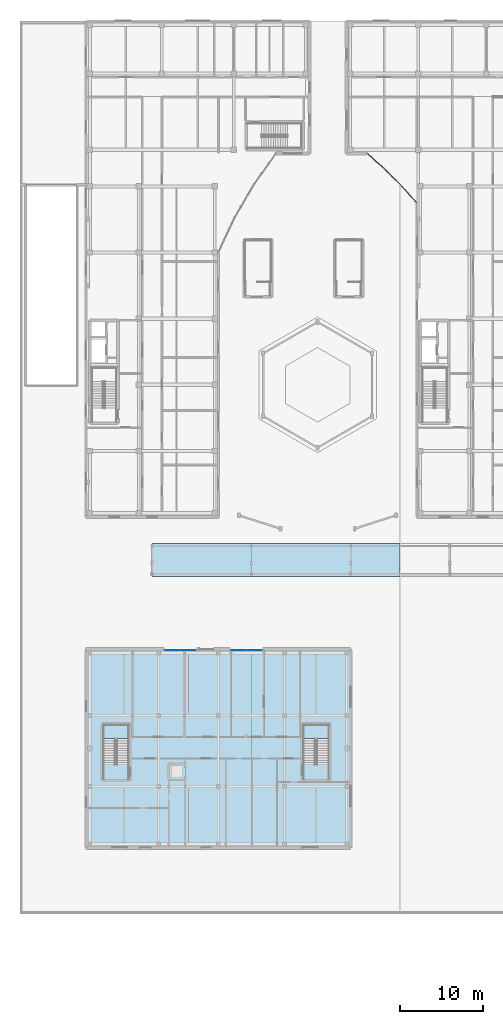
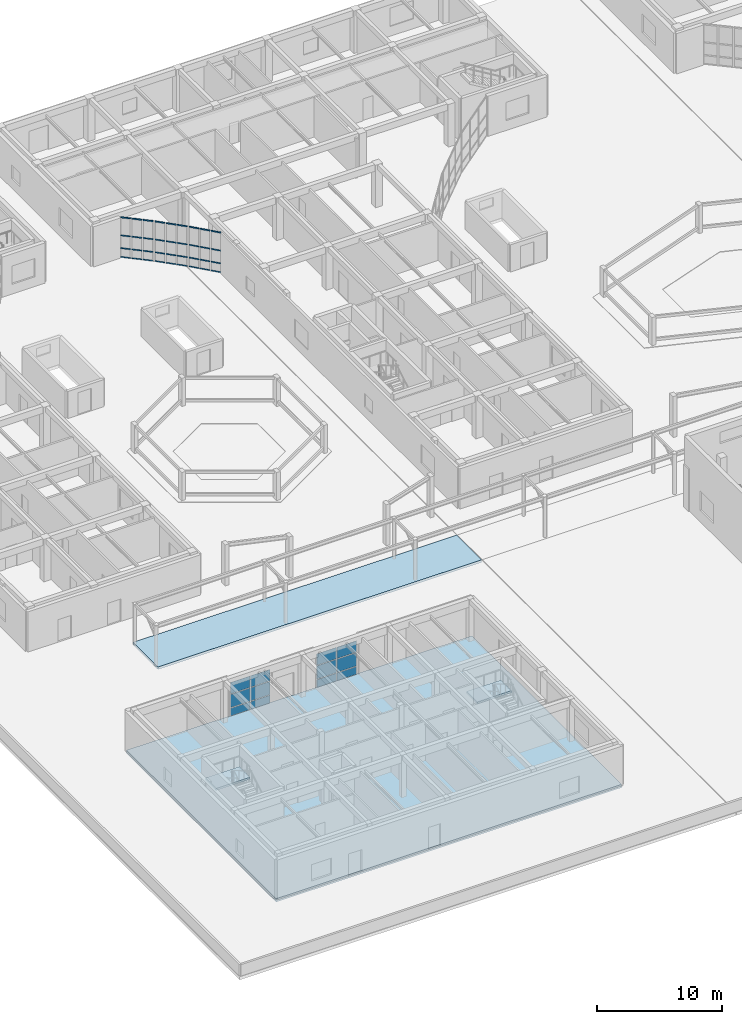
# One storey, part 59 of 114: 36 members, 12 plates, 4 slabs, 7 elements without a shape of their own.
"""IFC4 building model written with IfcOpenShell, lengths in metres."""

from ifc_helpers import new_model, si_unit, direction, frame, origin, origin_2d, place, context, subcontext, project, spatial, polyline, rectangle, hollow_rectangle, outline, extrude, material, layer, layer_set, material_profile, profile_set, type_object, element, aggregate, save


model = new_model("IFC4")

# Units and contexts
model_context = context("Model", 3, precision=1e-05, world=origin(), true_north=direction((0.0, 1.0)))
body_context = subcontext(model_context, "Body", "Model", "MODEL_VIEW")
ifc_project = project(units=[si_unit("LENGTHUNIT", "METRE"), si_unit("AREAUNIT", "SQUARE_METRE"), si_unit("VOLUMEUNIT", "CUBIC_METRE"), si_unit("PLANEANGLEUNIT", "RADIAN"), si_unit("MASSUNIT", "GRAM", prefix="KILO")], contexts=[model_context])

# Site, building, storey
site_placement = place(None, origin())
site = spatial("IfcSite", under=ifc_project, at=site_placement, CompositionType="ELEMENT")
building_placement = place(site_placement, origin())
building = spatial("IfcBuilding", under=site, at=building_placement, Name="Keldmere Railside Commons", CompositionType="ELEMENT")
storey_placement = place(building_placement, origin())
storey = spatial("IfcBuildingStorey", under=building, at=storey_placement, Name="L00", CompositionType="ELEMENT", Elevation=0.0)

# Curtain wall, members
ifc_material_1 = material(Name="Thermally Broken Aluminium", Category="aluminium")
ifc_layer_1 = layer(ifc_material_1, 0.159912109375, Name="Residential Ground Entrance Lobby CW 4000x3600")
ifc_layer_set_1 = layer_set([ifc_layer_1], Name="Thermally Broken Aluminium")
curtain_wall_type_1 = type_object("IfcCurtainWallType", Name="Residential Ground Entrance Lobby CW 4000x3600", PredefinedType="NOTDEFINED", material=ifc_layer_set_1)
curtain_wall_1_placement = place(storey_placement, origin())
curtain_wall_1 = element("IfcCurtainWall", 1, at=curtain_wall_1_placement, inside=storey, type_object=curtain_wall_type_1, Name="CW-10 CW-L00-028", PredefinedType="NOTDEFINED")
ifc_material_profile = material_profile(ifc_material_1, hollow_rectangle(XDim=0.06494140625, YDim=0.1201171875, WallThickness=0.00390625, at=origin_2d()), Name="ALU-TRAN-65x120")
ifc_profile_set = profile_set([ifc_material_profile], Name="Thermally Broken Aluminium")
member_type = type_object("IfcMemberType", Name="Unitised Curtain Wall Transom 65x120", PredefinedType="USERDEFINED", material=ifc_profile_set)
member_1_placement = place(storey_placement, frame((44.0595703125, 98.1533203125, 0.032470703125), z_axis=(-0.744569440646, 0.667545015752, 0.0), x_axis=(-0.667545015752, -0.744569440646, 0.0)))
member_1 = element("IfcMember", 2, at=member_1_placement, type_object=member_type, Name="CW-10 transom 1.1", ObjectType="TRANSOM", PredefinedType="USERDEFINED", context=body_context, shape_type="SweptSolid", body=[
    extrude(hollow_rectangle(XDim=0.06494140625, YDim=0.1201171875, WallThickness=0.00390625, at=origin_2d()), origin(), (0.0, 0.0, 1.0), 0.84619140625),
])
member_2_placement = place(storey_placement, frame((44.0595703125, 98.1533203125, 0.89990234375), z_axis=(-0.744569440646, 0.667545015752, 0.0), x_axis=(-0.667545015752, -0.744569440646, 0.0)))
member_2 = element("IfcMember", 3, at=member_2_placement, type_object=member_type, Name="CW-10 transom 1.2", ObjectType="TRANSOM", PredefinedType="USERDEFINED", context=body_context, shape_type="SweptSolid", body=[
    extrude(hollow_rectangle(XDim=0.06494140625, YDim=0.1201171875, WallThickness=0.00390625, at=origin_2d()), origin(), (0.0, 0.0, 1.0), 0.84619140625),
])
member_3_placement = place(storey_placement, frame((44.0595703125, 98.1533203125, 2.14990234375), z_axis=(-0.744569440646, 0.667545015752, 0.0), x_axis=(-0.667545015752, -0.744569440646, 0.0)))
member_3 = element("IfcMember", 4, at=member_3_placement, type_object=member_type, Name="CW-10 transom 1.3", ObjectType="TRANSOM", PredefinedType="USERDEFINED", context=body_context, shape_type="SweptSolid", body=[
    extrude(hollow_rectangle(XDim=0.06494140625, YDim=0.1201171875, WallThickness=0.00390625, at=origin_2d()), origin(), (0.0, 0.0, 1.0), 0.84619140625),
])
member_4_placement = place(storey_placement, frame((44.0595703125, 98.1533203125, 3.907470703125), z_axis=(-0.744569440646, 0.667545015752, 0.0), x_axis=(-0.667545015752, -0.744569440646, 0.0)))
member_4 = element("IfcMember", 5, at=member_4_placement, type_object=member_type, Name="CW-10 transom 1.4", ObjectType="TRANSOM", PredefinedType="USERDEFINED", context=body_context, shape_type="SweptSolid", body=[
    extrude(hollow_rectangle(XDim=0.06494140625, YDim=0.1201171875, WallThickness=0.00390625, at=origin_2d()), origin(), (0.0, 0.0, 1.0), 0.84619140625),
])
member_5_placement = place(storey_placement, frame((43.381103515625, 98.76171875, 0.032470703125), z_axis=(-0.744536109606, 0.667582190815, 0.0), x_axis=(-0.667582190815, -0.744536109606, 0.0)))
member_5 = element("IfcMember", 6, at=member_5_placement, type_object=member_type, Name="CW-10 transom 2.1", ObjectType="TRANSOM", PredefinedType="USERDEFINED", context=body_context, shape_type="SweptSolid", body=[
    extrude(hollow_rectangle(XDim=0.06494140625, YDim=0.1201171875, WallThickness=0.00390625, at=origin_2d()), origin(), (0.0, 0.0, 1.0), 0.87890625),
])
member_6_placement = place(storey_placement, frame((43.381103515625, 98.76171875, 0.89990234375), z_axis=(-0.744536109606, 0.667582190815, 0.0), x_axis=(-0.667582190815, -0.744536109606, 0.0)))
member_6 = element("IfcMember", 7, at=member_6_placement, type_object=member_type, Name="CW-10 transom 2.2", ObjectType="TRANSOM", PredefinedType="USERDEFINED", context=body_context, shape_type="SweptSolid", body=[
    extrude(hollow_rectangle(XDim=0.06494140625, YDim=0.1201171875, WallThickness=0.00390625, at=origin_2d()), origin(), (0.0, 0.0, 1.0), 0.87890625),
])
member_7_placement = place(storey_placement, frame((43.381103515625, 98.76171875, 2.14990234375), z_axis=(-0.744536109606, 0.667582190815, 0.0), x_axis=(-0.667582190815, -0.744536109606, 0.0)))
member_7 = element("IfcMember", 8, at=member_7_placement, type_object=member_type, Name="CW-10 transom 2.3", ObjectType="TRANSOM", PredefinedType="USERDEFINED", context=body_context, shape_type="SweptSolid", body=[
    extrude(hollow_rectangle(XDim=0.06494140625, YDim=0.1201171875, WallThickness=0.00390625, at=origin_2d()), origin(), (0.0, 0.0, 1.0), 0.87890625),
])
member_8_placement = place(storey_placement, frame((43.381103515625, 98.76171875, 3.907470703125), z_axis=(-0.744536109606, 0.667582190815, 0.0), x_axis=(-0.667582190815, -0.744536109606, 0.0)))
member_8 = element("IfcMember", 9, at=member_8_placement, type_object=member_type, Name="CW-10 transom 2.4", ObjectType="TRANSOM", PredefinedType="USERDEFINED", context=body_context, shape_type="SweptSolid", body=[
    extrude(hollow_rectangle(XDim=0.06494140625, YDim=0.1201171875, WallThickness=0.00390625, at=origin_2d()), origin(), (0.0, 0.0, 1.0), 0.87890625),
])
member_9_placement = place(storey_placement, frame((42.678466796875, 99.3916015625, 0.032470703125), z_axis=(-0.744569440646, 0.667545015752, 0.0), x_axis=(-0.667545015752, -0.744569440646, 0.0)))
member_9 = element("IfcMember", 10, at=member_9_placement, type_object=member_type, Name="CW-10 transom 3.1", ObjectType="TRANSOM", PredefinedType="USERDEFINED", context=body_context, shape_type="SweptSolid", body=[
    extrude(hollow_rectangle(XDim=0.06494140625, YDim=0.1201171875, WallThickness=0.00390625, at=origin_2d()), origin(), (0.0, 0.0, 1.0), 0.84619140625),
])
member_10_placement = place(storey_placement, frame((42.678466796875, 99.3916015625, 0.89990234375), z_axis=(-0.744569440646, 0.667545015752, 0.0), x_axis=(-0.667545015752, -0.744569440646, 0.0)))
member_10 = element("IfcMember", 11, at=member_10_placement, type_object=member_type, Name="CW-10 transom 3.2", ObjectType="TRANSOM", PredefinedType="USERDEFINED", context=body_context, shape_type="SweptSolid", body=[
    extrude(hollow_rectangle(XDim=0.06494140625, YDim=0.1201171875, WallThickness=0.00390625, at=origin_2d()), origin(), (0.0, 0.0, 1.0), 0.84619140625),
])
member_11_placement = place(storey_placement, frame((42.678466796875, 99.3916015625, 2.14990234375), z_axis=(-0.744569440646, 0.667545015752, 0.0), x_axis=(-0.667545015752, -0.744569440646, 0.0)))
member_11 = element("IfcMember", 12, at=member_11_placement, type_object=member_type, Name="CW-10 transom 3.3", ObjectType="TRANSOM", PredefinedType="USERDEFINED", context=body_context, shape_type="SweptSolid", body=[
    extrude(hollow_rectangle(XDim=0.06494140625, YDim=0.1201171875, WallThickness=0.00390625, at=origin_2d()), origin(), (0.0, 0.0, 1.0), 0.84619140625),
])
member_12_placement = place(storey_placement, frame((42.678466796875, 99.3916015625, 3.907470703125), z_axis=(-0.744569440646, 0.667545015752, 0.0), x_axis=(-0.667545015752, -0.744569440646, 0.0)))
member_12 = element("IfcMember", 13, at=member_12_placement, type_object=member_type, Name="CW-10 transom 3.4", ObjectType="TRANSOM", PredefinedType="USERDEFINED", context=body_context, shape_type="SweptSolid", body=[
    extrude(hollow_rectangle(XDim=0.06494140625, YDim=0.1201171875, WallThickness=0.00390625, at=origin_2d()), origin(), (0.0, 0.0, 1.0), 0.84619140625),
])
aggregate(curtain_wall_1, [member_1, member_2, member_3, member_4, member_5, member_6, member_7, member_8, member_9, member_10, member_11, member_12])

ifc_layer_2 = layer(ifc_material_1, 0.159912109375, Name="Residential Lounge Frontage CW 4600x3600")
ifc_layer_set_2 = layer_set([ifc_layer_2], Name="Thermally Broken Aluminium")
curtain_wall_type_2 = type_object("IfcCurtainWallType", Name="Residential Lounge Frontage CW 4600x3600", PredefinedType="NOTDEFINED", material=ifc_layer_set_2)
curtain_wall_2_placement = place(storey_placement, origin())
curtain_wall_2 = element("IfcCurtainWall", 14, at=curtain_wall_2_placement, inside=storey, type_object=curtain_wall_type_2, Name="CW-11 CW-L00-029", PredefinedType="NOTDEFINED")
member_13_placement = place(storey_placement, frame((46.06396484375, 96.154052734375, 0.032470703125), z_axis=(-0.707106781187, 0.707106781187, 0.0), x_axis=(-0.707106781187, -0.707106781187, 0.0)))
member_13 = element("IfcMember", 15, at=member_13_placement, type_object=member_type, Name="CW-11 transom 1.1", ObjectType="TRANSOM", PredefinedType="USERDEFINED", context=body_context, shape_type="SweptSolid", body=[
    extrude(hollow_rectangle(XDim=0.06494140625, YDim=0.1201171875, WallThickness=0.00390625, at=origin_2d()), origin(), (0.0, 0.0, 1.0), 0.84619140625),
])
member_14_placement = place(storey_placement, frame((46.06396484375, 96.154052734375, 0.89990234375), z_axis=(-0.707106781187, 0.707106781187, 0.0), x_axis=(-0.707106781187, -0.707106781187, 0.0)))
member_14 = element("IfcMember", 16, at=member_14_placement, type_object=member_type, Name="CW-11 transom 1.2", ObjectType="TRANSOM", PredefinedType="USERDEFINED", context=body_context, shape_type="SweptSolid", body=[
    extrude(hollow_rectangle(XDim=0.06494140625, YDim=0.1201171875, WallThickness=0.00390625, at=origin_2d()), origin(), (0.0, 0.0, 1.0), 0.84619140625),
])
member_15_placement = place(storey_placement, frame((46.06396484375, 96.154052734375, 2.14990234375), z_axis=(-0.707106781187, 0.707106781187, 0.0), x_axis=(-0.707106781187, -0.707106781187, 0.0)))
member_15 = element("IfcMember", 17, at=member_15_placement, type_object=member_type, Name="CW-11 transom 1.3", ObjectType="TRANSOM", PredefinedType="USERDEFINED", context=body_context, shape_type="SweptSolid", body=[
    extrude(hollow_rectangle(XDim=0.06494140625, YDim=0.1201171875, WallThickness=0.00390625, at=origin_2d()), origin(), (0.0, 0.0, 1.0), 0.84619140625),
])
member_16_placement = place(storey_placement, frame((46.06396484375, 96.154052734375, 3.907470703125), z_axis=(-0.707106781187, 0.707106781187, 0.0), x_axis=(-0.707106781187, -0.707106781187, 0.0)))
member_16 = element("IfcMember", 18, at=member_16_placement, type_object=member_type, Name="CW-11 transom 1.4", ObjectType="TRANSOM", PredefinedType="USERDEFINED", context=body_context, shape_type="SweptSolid", body=[
    extrude(hollow_rectangle(XDim=0.06494140625, YDim=0.1201171875, WallThickness=0.00390625, at=origin_2d()), origin(), (0.0, 0.0, 1.0), 0.84619140625),
])
member_17_placement = place(storey_placement, frame((45.419677734375, 96.79833984375, 0.032470703125), z_axis=(-0.707106781187, 0.707106781187, 0.0), x_axis=(-0.707106781187, -0.707106781187, 0.0)))
member_17 = element("IfcMember", 19, at=member_17_placement, type_object=member_type, Name="CW-11 transom 2.1", ObjectType="TRANSOM", PredefinedType="USERDEFINED", context=body_context, shape_type="SweptSolid", body=[
    extrude(hollow_rectangle(XDim=0.06494140625, YDim=0.1201171875, WallThickness=0.00390625, at=origin_2d()), origin(), (0.0, 0.0, 1.0), 0.878662109375),
])
member_18_placement = place(storey_placement, frame((45.419677734375, 96.79833984375, 0.89990234375), z_axis=(-0.707106781187, 0.707106781187, 0.0), x_axis=(-0.707106781187, -0.707106781187, 0.0)))
member_18 = element("IfcMember", 20, at=member_18_placement, type_object=member_type, Name="CW-11 transom 2.2", ObjectType="TRANSOM", PredefinedType="USERDEFINED", context=body_context, shape_type="SweptSolid", body=[
    extrude(hollow_rectangle(XDim=0.06494140625, YDim=0.1201171875, WallThickness=0.00390625, at=origin_2d()), origin(), (0.0, 0.0, 1.0), 0.878662109375),
])
member_19_placement = place(storey_placement, frame((45.419677734375, 96.79833984375, 2.14990234375), z_axis=(-0.707106781187, 0.707106781187, 0.0), x_axis=(-0.707106781187, -0.707106781187, 0.0)))
member_19 = element("IfcMember", 21, at=member_19_placement, type_object=member_type, Name="CW-11 transom 2.3", ObjectType="TRANSOM", PredefinedType="USERDEFINED", context=body_context, shape_type="SweptSolid", body=[
    extrude(hollow_rectangle(XDim=0.06494140625, YDim=0.1201171875, WallThickness=0.00390625, at=origin_2d()), origin(), (0.0, 0.0, 1.0), 0.878662109375),
])
member_20_placement = place(storey_placement, frame((45.419677734375, 96.79833984375, 3.907470703125), z_axis=(-0.707106781187, 0.707106781187, 0.0), x_axis=(-0.707106781187, -0.707106781187, 0.0)))
member_20 = element("IfcMember", 22, at=member_20_placement, type_object=member_type, Name="CW-11 transom 2.4", ObjectType="TRANSOM", PredefinedType="USERDEFINED", context=body_context, shape_type="SweptSolid", body=[
    extrude(hollow_rectangle(XDim=0.06494140625, YDim=0.1201171875, WallThickness=0.00390625, at=origin_2d()), origin(), (0.0, 0.0, 1.0), 0.878662109375),
])
member_21_placement = place(storey_placement, frame((44.75244140625, 97.465576171875, 0.032470703125), z_axis=(-0.707106781187, 0.707106781187, 0.0), x_axis=(-0.707106781187, -0.707106781187, 0.0)))
member_21 = element("IfcMember", 23, at=member_21_placement, type_object=member_type, Name="CW-11 transom 3.1", ObjectType="TRANSOM", PredefinedType="USERDEFINED", context=body_context, shape_type="SweptSolid", body=[
    extrude(hollow_rectangle(XDim=0.06494140625, YDim=0.1201171875, WallThickness=0.00390625, at=origin_2d()), origin(), (0.0, 0.0, 1.0), 0.84619140625),
])
member_22_placement = place(storey_placement, frame((44.75244140625, 97.465576171875, 0.89990234375), z_axis=(-0.707106781187, 0.707106781187, 0.0), x_axis=(-0.707106781187, -0.707106781187, 0.0)))
member_22 = element("IfcMember", 24, at=member_22_placement, type_object=member_type, Name="CW-11 transom 3.2", ObjectType="TRANSOM", PredefinedType="USERDEFINED", context=body_context, shape_type="SweptSolid", body=[
    extrude(hollow_rectangle(XDim=0.06494140625, YDim=0.1201171875, WallThickness=0.00390625, at=origin_2d()), origin(), (0.0, 0.0, 1.0), 0.84619140625),
])
member_23_placement = place(storey_placement, frame((44.75244140625, 97.465576171875, 2.14990234375), z_axis=(-0.707106781187, 0.707106781187, 0.0), x_axis=(-0.707106781187, -0.707106781187, 0.0)))
member_23 = element("IfcMember", 25, at=member_23_placement, type_object=member_type, Name="CW-11 transom 3.3", ObjectType="TRANSOM", PredefinedType="USERDEFINED", context=body_context, shape_type="SweptSolid", body=[
    extrude(hollow_rectangle(XDim=0.06494140625, YDim=0.1201171875, WallThickness=0.00390625, at=origin_2d()), origin(), (0.0, 0.0, 1.0), 0.84619140625),
])
member_24_placement = place(storey_placement, frame((44.75244140625, 97.465576171875, 3.907470703125), z_axis=(-0.707106781187, 0.707106781187, 0.0), x_axis=(-0.707106781187, -0.707106781187, 0.0)))
member_24 = element("IfcMember", 26, at=member_24_placement, type_object=member_type, Name="CW-11 transom 3.4", ObjectType="TRANSOM", PredefinedType="USERDEFINED", context=body_context, shape_type="SweptSolid", body=[
    extrude(hollow_rectangle(XDim=0.06494140625, YDim=0.1201171875, WallThickness=0.00390625, at=origin_2d()), origin(), (0.0, 0.0, 1.0), 0.84619140625),
])
aggregate(curtain_wall_2, [member_13, member_14, member_15, member_16, member_17, member_18, member_19, member_20, member_21, member_22, member_23, member_24])

curtain_wall_3_placement = place(storey_placement, origin())
curtain_wall_3 = element("IfcCurtainWall", 27, at=curtain_wall_3_placement, inside=storey, type_object=curtain_wall_type_1, Name="CW-10 CW-L00-030", PredefinedType="NOTDEFINED")
member_25_placement = place(storey_placement, frame((47.95654296875, 94.04833984375, 0.032470703125), z_axis=(-0.667545015752, 0.744569440646, 0.0), x_axis=(-0.744569440646, -0.667545015752, 0.0)))
member_25 = element("IfcMember", 28, at=member_25_placement, type_object=member_type, Name="CW-10 transom 1.1", ObjectType="TRANSOM", PredefinedType="USERDEFINED", context=body_context, shape_type="SweptSolid", body=[
    extrude(hollow_rectangle(XDim=0.06494140625, YDim=0.1201171875, WallThickness=0.00390625, at=origin_2d()), origin(), (0.0, 0.0, 1.0), 0.84619140625),
])
member_26_placement = place(storey_placement, frame((47.95654296875, 94.04833984375, 0.89990234375), z_axis=(-0.667545015752, 0.744569440646, 0.0), x_axis=(-0.744569440646, -0.667545015752, 0.0)))
member_26 = element("IfcMember", 29, at=member_26_placement, type_object=member_type, Name="CW-10 transom 1.2", ObjectType="TRANSOM", PredefinedType="USERDEFINED", context=body_context, shape_type="SweptSolid", body=[
    extrude(hollow_rectangle(XDim=0.06494140625, YDim=0.1201171875, WallThickness=0.00390625, at=origin_2d()), origin(), (0.0, 0.0, 1.0), 0.84619140625),
])
member_27_placement = place(storey_placement, frame((47.95654296875, 94.04833984375, 2.14990234375), z_axis=(-0.667545015752, 0.744569440646, 0.0), x_axis=(-0.744569440646, -0.667545015752, 0.0)))
member_27 = element("IfcMember", 30, at=member_27_placement, type_object=member_type, Name="CW-10 transom 1.3", ObjectType="TRANSOM", PredefinedType="USERDEFINED", context=body_context, shape_type="SweptSolid", body=[
    extrude(hollow_rectangle(XDim=0.06494140625, YDim=0.1201171875, WallThickness=0.00390625, at=origin_2d()), origin(), (0.0, 0.0, 1.0), 0.84619140625),
])
member_28_placement = place(storey_placement, frame((47.95654296875, 94.04833984375, 3.907470703125), z_axis=(-0.667545015752, 0.744569440646, 0.0), x_axis=(-0.744569440646, -0.667545015752, 0.0)))
member_28 = element("IfcMember", 31, at=member_28_placement, type_object=member_type, Name="CW-10 transom 1.4", ObjectType="TRANSOM", PredefinedType="USERDEFINED", context=body_context, shape_type="SweptSolid", body=[
    extrude(hollow_rectangle(XDim=0.06494140625, YDim=0.1201171875, WallThickness=0.00390625, at=origin_2d()), origin(), (0.0, 0.0, 1.0), 0.84619140625),
])
member_29_placement = place(storey_placement, frame((47.348388671875, 94.726806640625, 0.032470703125), z_axis=(-0.667582190815, 0.744536109606, 0.0), x_axis=(-0.744536109606, -0.667582190815, 0.0)))
member_29 = element("IfcMember", 32, at=member_29_placement, type_object=member_type, Name="CW-10 transom 2.1", ObjectType="TRANSOM", PredefinedType="USERDEFINED", context=body_context, shape_type="SweptSolid", body=[
    extrude(hollow_rectangle(XDim=0.06494140625, YDim=0.1201171875, WallThickness=0.00390625, at=origin_2d()), origin(), (0.0, 0.0, 1.0), 0.87890625),
])
member_30_placement = place(storey_placement, frame((47.348388671875, 94.726806640625, 0.89990234375), z_axis=(-0.667582190815, 0.744536109606, 0.0), x_axis=(-0.744536109606, -0.667582190815, 0.0)))
member_30 = element("IfcMember", 33, at=member_30_placement, type_object=member_type, Name="CW-10 transom 2.2", ObjectType="TRANSOM", PredefinedType="USERDEFINED", context=body_context, shape_type="SweptSolid", body=[
    extrude(hollow_rectangle(XDim=0.06494140625, YDim=0.1201171875, WallThickness=0.00390625, at=origin_2d()), origin(), (0.0, 0.0, 1.0), 0.87890625),
])
member_31_placement = place(storey_placement, frame((47.348388671875, 94.726806640625, 2.14990234375), z_axis=(-0.667582190815, 0.744536109606, 0.0), x_axis=(-0.744536109606, -0.667582190815, 0.0)))
member_31 = element("IfcMember", 34, at=member_31_placement, type_object=member_type, Name="CW-10 transom 2.3", ObjectType="TRANSOM", PredefinedType="USERDEFINED", context=body_context, shape_type="SweptSolid", body=[
    extrude(hollow_rectangle(XDim=0.06494140625, YDim=0.1201171875, WallThickness=0.00390625, at=origin_2d()), origin(), (0.0, 0.0, 1.0), 0.87890625),
])
member_32_placement = place(storey_placement, frame((47.348388671875, 94.726806640625, 3.907470703125), z_axis=(-0.667582190815, 0.744536109606, 0.0), x_axis=(-0.744536109606, -0.667582190815, 0.0)))
member_32 = element("IfcMember", 35, at=member_32_placement, type_object=member_type, Name="CW-10 transom 2.4", ObjectType="TRANSOM", PredefinedType="USERDEFINED", context=body_context, shape_type="SweptSolid", body=[
    extrude(hollow_rectangle(XDim=0.06494140625, YDim=0.1201171875, WallThickness=0.00390625, at=origin_2d()), origin(), (0.0, 0.0, 1.0), 0.87890625),
])
member_33_placement = place(storey_placement, frame((46.71826171875, 95.429443359375, 0.032470703125), z_axis=(-0.667545015752, 0.744569440646, 0.0), x_axis=(-0.744569440646, -0.667545015752, 0.0)))
member_33 = element("IfcMember", 36, at=member_33_placement, type_object=member_type, Name="CW-10 transom 3.1", ObjectType="TRANSOM", PredefinedType="USERDEFINED", context=body_context, shape_type="SweptSolid", body=[
    extrude(hollow_rectangle(XDim=0.06494140625, YDim=0.1201171875, WallThickness=0.00390625, at=origin_2d()), origin(), (0.0, 0.0, 1.0), 0.84619140625),
])
member_34_placement = place(storey_placement, frame((46.71826171875, 95.429443359375, 0.89990234375), z_axis=(-0.667545015752, 0.744569440646, 0.0), x_axis=(-0.744569440646, -0.667545015752, 0.0)))
member_34 = element("IfcMember", 37, at=member_34_placement, type_object=member_type, Name="CW-10 transom 3.2", ObjectType="TRANSOM", PredefinedType="USERDEFINED", context=body_context, shape_type="SweptSolid", body=[
    extrude(hollow_rectangle(XDim=0.06494140625, YDim=0.1201171875, WallThickness=0.00390625, at=origin_2d()), origin(), (0.0, 0.0, 1.0), 0.84619140625),
])
member_35_placement = place(storey_placement, frame((46.71826171875, 95.429443359375, 2.14990234375), z_axis=(-0.667545015752, 0.744569440646, 0.0), x_axis=(-0.744569440646, -0.667545015752, 0.0)))
member_35 = element("IfcMember", 38, at=member_35_placement, type_object=member_type, Name="CW-10 transom 3.3", ObjectType="TRANSOM", PredefinedType="USERDEFINED", context=body_context, shape_type="SweptSolid", body=[
    extrude(hollow_rectangle(XDim=0.06494140625, YDim=0.1201171875, WallThickness=0.00390625, at=origin_2d()), origin(), (0.0, 0.0, 1.0), 0.84619140625),
])
member_36_placement = place(storey_placement, frame((46.71826171875, 95.429443359375, 3.907470703125), z_axis=(-0.667545015752, 0.744569440646, 0.0), x_axis=(-0.744569440646, -0.667545015752, 0.0)))
member_36 = element("IfcMember", 39, at=member_36_placement, type_object=member_type, Name="CW-10 transom 3.4", ObjectType="TRANSOM", PredefinedType="USERDEFINED", context=body_context, shape_type="SweptSolid", body=[
    extrude(hollow_rectangle(XDim=0.06494140625, YDim=0.1201171875, WallThickness=0.00390625, at=origin_2d()), origin(), (0.0, 0.0, 1.0), 0.84619140625),
])
aggregate(curtain_wall_3, [member_25, member_26, member_27, member_28, member_29, member_30, member_31, member_32, member_33, member_34, member_35, member_36])

# Curtain wall, plates
ifc_layer_3 = layer(ifc_material_1, 0.159912109375, Name="Nursery Courtyard Playroom CW 3800x3400")
ifc_layer_set_3 = layer_set([ifc_layer_3], Name="Thermally Broken Aluminium")
curtain_wall_type_3 = type_object("IfcCurtainWallType", Name="Nursery Courtyard Playroom CW 3800x3400", PredefinedType="NOTDEFINED", material=ifc_layer_set_3)
curtain_wall_4_placement = place(storey_placement, origin())
curtain_wall_4 = element("IfcCurtainWall", 40, at=curtain_wall_4_placement, inside=storey, type_object=curtain_wall_type_3, Name="CW-08 CW-L00-199", PredefinedType="NOTDEFINED")
ifc_material_2 = material(Name="Low-E Insulated Double Glazing", Category="glass")
ifc_layer_4 = layer(ifc_material_2, 0.033935546875, Name="Acoustic Laminated Vision Panel 34")
ifc_layer_set_4 = layer_set([ifc_layer_4], Name="Low-E Insulated Double Glazing")
plate_type_1 = type_object("IfcPlateType", Name="Acoustic Laminated Vision Panel 34", PredefinedType="CURTAIN_PANEL", material=ifc_layer_set_4)
plate_1_placement = place(storey_placement, frame((18.46630859375, 39.89990234375, 0.06494140625), z_axis=(0.0, 0.0, 1.0), x_axis=(1.0, 0.0, 0.0)))
plate_1 = element("IfcPlate", 41, at=plate_1_placement, type_object=plate_type_1, Name="CW-08 panel 1.1", PredefinedType="CURTAIN_PANEL", context=body_context, shape_type="SweptSolid", body=[
    extrude(rectangle(XDim=1.802490234375, YDim=0.033935546875, at=origin_2d()), origin(), (0.0, 0.0, 1.0), 0.75244140625),
])
plate_2_placement = place(storey_placement, frame((18.46630859375, 39.89990234375, 0.88232421875), z_axis=(0.0, 0.0, 1.0), x_axis=(1.0, 0.0, 0.0)))
plate_2 = element("IfcPlate", 42, at=plate_2_placement, type_object=plate_type_1, Name="CW-08 panel 1.2", PredefinedType="CURTAIN_PANEL", context=body_context, shape_type="SweptSolid", body=[
    extrude(rectangle(XDim=1.802490234375, YDim=0.033935546875, at=origin_2d()), origin(), (0.0, 0.0, 1.0), 1.284912109375),
])
plate_3_placement = place(storey_placement, frame((18.46630859375, 39.89990234375, 2.232421875), z_axis=(0.0, 0.0, 1.0), x_axis=(1.0, 0.0, 0.0)))
plate_3 = element("IfcPlate", 43, at=plate_3_placement, type_object=plate_type_1, Name="CW-08 panel 1.3", PredefinedType="CURTAIN_PANEL", context=body_context, shape_type="SweptSolid", body=[
    extrude(rectangle(XDim=1.802490234375, YDim=0.033935546875, at=origin_2d()), origin(), (0.0, 0.0, 1.0), 1.1025390625),
])
plate_4_placement = place(storey_placement, frame((20.333740234375, 39.89990234375, 0.06494140625), z_axis=(0.0, 0.0, 1.0), x_axis=(1.0, 0.0, 0.0)))
plate_4 = element("IfcPlate", 44, at=plate_4_placement, type_object=plate_type_1, Name="CW-08 panel 2.1", PredefinedType="CURTAIN_PANEL", context=body_context, shape_type="SweptSolid", body=[
    extrude(rectangle(XDim=1.802490234375, YDim=0.033935546875, at=origin_2d()), origin(), (0.0, 0.0, 1.0), 0.75244140625),
])
plate_5_placement = place(storey_placement, frame((20.333740234375, 39.89990234375, 0.88232421875), z_axis=(0.0, 0.0, 1.0), x_axis=(1.0, 0.0, 0.0)))
plate_5 = element("IfcPlate", 45, at=plate_5_placement, type_object=plate_type_1, Name="CW-08 panel 2.2", PredefinedType="CURTAIN_PANEL", context=body_context, shape_type="SweptSolid", body=[
    extrude(rectangle(XDim=1.802490234375, YDim=0.033935546875, at=origin_2d()), origin(), (0.0, 0.0, 1.0), 1.284912109375),
])
plate_6_placement = place(storey_placement, frame((20.333740234375, 39.89990234375, 2.232421875), z_axis=(0.0, 0.0, 1.0), x_axis=(1.0, 0.0, 0.0)))
plate_6 = element("IfcPlate", 46, at=plate_6_placement, type_object=plate_type_1, Name="CW-08 panel 2.3", PredefinedType="CURTAIN_PANEL", context=body_context, shape_type="SweptSolid", body=[
    extrude(rectangle(XDim=1.802490234375, YDim=0.033935546875, at=origin_2d()), origin(), (0.0, 0.0, 1.0), 1.1025390625),
])
aggregate(curtain_wall_4, [plate_1, plate_2, plate_3, plate_4, plate_5, plate_6])

# Stair, slab
ifc_material_3 = material(Name="Concrete H-30 (C30/37)", Category="concrete")
stair_type = type_object("IfcStairType", Name="Nursery Pavilion Dogleg Stair 1500", PredefinedType="HALF_TURN_STAIR", material=ifc_material_3)
stair_1_placement = place(storey_placement, origin())
stair_1 = element("IfcStair", 47, at=stair_1_placement, inside=storey, type_object=stair_type, Name="L00 Nursery Pavilion Escape Stair ST-N1", PredefinedType="HALF_TURN_STAIR")
ifc_layer_5 = layer(ifc_material_3, 0.2099609375, Name="Civic Stair Landing Slab 210")
ifc_layer_set_5 = layer_set([ifc_layer_5], Name="Concrete H-30 (C30/37)")
slab_type_1 = type_object("IfcSlabType", Name="Civic Stair Landing Slab 210", PredefinedType="LANDING", material=ifc_layer_set_5)
slab_1_placement = place(storey_placement, frame((0.0, 0.0, 1.8798828125)))
slab_1 = element("IfcSlab", 48, at=slab_1_placement, type_object=slab_type_1, Name="ST-N1 landing 1", PredefinedType="LANDING", context=body_context, shape_type="SweptSolid", body=[
    extrude(outline(polyline([(13.199951171875, 29.18994140625), (13.199951171875, 30.89990234375), (10.050048828125, 30.89990234375), (10.050048828125, 29.18994140625), (13.199951171875, 29.18994140625)])), origin(), (0.0, 0.0, 1.0), 0.2001953125),
])
aggregate(stair_1, [slab_1])

stair_2_placement = place(storey_placement, origin())
stair_2 = element("IfcStair", 49, at=stair_2_placement, inside=storey, type_object=stair_type, Name="L00 Nursery Pavilion Escape Stair ST-N2", PredefinedType="HALF_TURN_STAIR")
slab_2_placement = place(storey_placement, frame((0.0, 0.0, 1.8798828125)))
slab_2 = element("IfcSlab", 50, at=slab_2_placement, type_object=slab_type_1, Name="ST-N2 landing 1", PredefinedType="LANDING", context=body_context, shape_type="SweptSolid", body=[
    extrude(outline(polyline([(37.39990234375, 29.18994140625), (37.39990234375, 30.89990234375), (34.25, 30.89990234375), (34.25, 29.18994140625), (37.39990234375, 29.18994140625)])), origin(), (0.0, 0.0, 1.0), 0.2001953125),
])
aggregate(stair_2, [slab_2])

# Curtain wall, plates
curtain_wall_5_placement = place(storey_placement, origin())
curtain_wall_5 = element("IfcCurtainWall", 51, at=curtain_wall_5_placement, inside=storey, type_object=curtain_wall_type_3, Name="CW-08 CW-L00-200", PredefinedType="NOTDEFINED")
ifc_layer_6 = layer(ifc_material_2, 0.031982421875, Name="Clerestory Solar-Control Vision Panel 32")
ifc_layer_set_6 = layer_set([ifc_layer_6], Name="Low-E Insulated Double Glazing")
plate_type_2 = type_object("IfcPlateType", Name="Clerestory Solar-Control Vision Panel 32", PredefinedType="CURTAIN_PANEL", material=ifc_layer_set_6)
plate_7_placement = place(storey_placement, frame((26.46630859375, 39.89990234375, 0.06494140625), z_axis=(0.0, 0.0, 1.0), x_axis=(1.0, 0.0, 0.0)))
plate_7 = element("IfcPlate", 52, at=plate_7_placement, type_object=plate_type_2, Name="CW-08 panel 1.1", PredefinedType="CURTAIN_PANEL", context=body_context, shape_type="SweptSolid", body=[
    extrude(rectangle(XDim=1.802490234375, YDim=0.031982421875, at=origin_2d()), origin(), (0.0, 0.0, 1.0), 0.75244140625),
])
plate_8_placement = place(storey_placement, frame((26.46630859375, 39.89990234375, 0.88232421875), z_axis=(0.0, 0.0, 1.0), x_axis=(1.0, 0.0, 0.0)))
plate_8 = element("IfcPlate", 53, at=plate_8_placement, type_object=plate_type_2, Name="CW-08 panel 1.2", PredefinedType="CURTAIN_PANEL", context=body_context, shape_type="SweptSolid", body=[
    extrude(rectangle(XDim=1.802490234375, YDim=0.031982421875, at=origin_2d()), origin(), (0.0, 0.0, 1.0), 1.284912109375),
])
plate_9_placement = place(storey_placement, frame((26.46630859375, 39.89990234375, 2.232421875), z_axis=(0.0, 0.0, 1.0), x_axis=(1.0, 0.0, 0.0)))
plate_9 = element("IfcPlate", 54, at=plate_9_placement, type_object=plate_type_2, Name="CW-08 panel 1.3", PredefinedType="CURTAIN_PANEL", context=body_context, shape_type="SweptSolid", body=[
    extrude(rectangle(XDim=1.802490234375, YDim=0.031982421875, at=origin_2d()), origin(), (0.0, 0.0, 1.0), 1.1025390625),
])
plate_10_placement = place(storey_placement, frame((28.333740234375, 39.89990234375, 0.06494140625), z_axis=(0.0, 0.0, 1.0), x_axis=(1.0, 0.0, 0.0)))
plate_10 = element("IfcPlate", 55, at=plate_10_placement, type_object=plate_type_2, Name="CW-08 panel 2.1", PredefinedType="CURTAIN_PANEL", context=body_context, shape_type="SweptSolid", body=[
    extrude(rectangle(XDim=1.802490234375, YDim=0.031982421875, at=origin_2d()), origin(), (0.0, 0.0, 1.0), 0.75244140625),
])
plate_11_placement = place(storey_placement, frame((28.333740234375, 39.89990234375, 0.88232421875), z_axis=(0.0, 0.0, 1.0), x_axis=(1.0, 0.0, 0.0)))
plate_11 = element("IfcPlate", 56, at=plate_11_placement, type_object=plate_type_2, Name="CW-08 panel 2.2", PredefinedType="CURTAIN_PANEL", context=body_context, shape_type="SweptSolid", body=[
    extrude(rectangle(XDim=1.802490234375, YDim=0.031982421875, at=origin_2d()), origin(), (0.0, 0.0, 1.0), 1.284912109375),
])
plate_12_placement = place(storey_placement, frame((28.333740234375, 39.89990234375, 2.232421875), z_axis=(0.0, 0.0, 1.0), x_axis=(1.0, 0.0, 0.0)))
plate_12 = element("IfcPlate", 57, at=plate_12_placement, type_object=plate_type_2, Name="CW-08 panel 2.3", PredefinedType="CURTAIN_PANEL", context=body_context, shape_type="SweptSolid", body=[
    extrude(rectangle(XDim=1.802490234375, YDim=0.031982421875, at=origin_2d()), origin(), (0.0, 0.0, 1.0), 1.1025390625),
])
aggregate(curtain_wall_5, [plate_7, plate_8, plate_9, plate_10, plate_11, plate_12])

# Slabs
ifc_material_4 = material(Name="Concrete H-35 (C35/45)", Category="concrete")
ifc_layer_7 = layer(ifc_material_4, 0.239990234375, Name="Covered Colonnade Walkway Deck 240")
ifc_layer_set_7 = layer_set([ifc_layer_7], Name="Concrete H-35 (C35/45)")
slab_type_2 = type_object("IfcSlabType", Name="Covered Colonnade Walkway Deck 240", PredefinedType="FLOOR", material=ifc_layer_set_7)
slab_3_placement = place(storey_placement, frame((0.0, 0.0, -0.239990234375)))
element("IfcSlab", 58, at=slab_3_placement, inside=storey, type_object=slab_type_2, Name="PD-2 COLDECK-L00-081", PredefinedType="FLOOR", context=body_context, shape_type="SweptSolid", body=[
    extrude(outline(polyline([(16.0, 48.800048828125), (45.969970703125, 48.800048828125), (45.969970703125, 52.800048828125), (16.0, 52.800048828125), (16.0, 48.800048828125)])), origin(), (0.0, 0.0, 1.0), 0.239990234375),
])
ifc_layer_8 = layer(ifc_material_4, 0.320068359375, Name="Ground Podium Transfer Slab 320")
ifc_layer_set_8 = layer_set([ifc_layer_8], Name="Concrete H-35 (C35/45)")
slab_type_3 = type_object("IfcSlabType", Name="Ground Podium Transfer Slab 320", PredefinedType="FLOOR", material=ifc_layer_set_8)
slab_4_placement = place(storey_placement, frame((0.0, 0.0, -0.320068359375)))
element("IfcSlab", 59, at=slab_4_placement, inside=storey, type_object=slab_type_3, Name="FS-1 NUR-L00-073", PredefinedType="FLOOR", context=body_context, shape_type="SweptSolid", body=[
    extrude(outline(polyline([(40.0, 16.0), (40.0, 40.0), (8.0, 40.0), (8.0, 16.0), (40.0, 16.0)])), origin(), (0.0, 0.0, 1.0), 0.320068359375),
])

save(model, "model.ifc")
